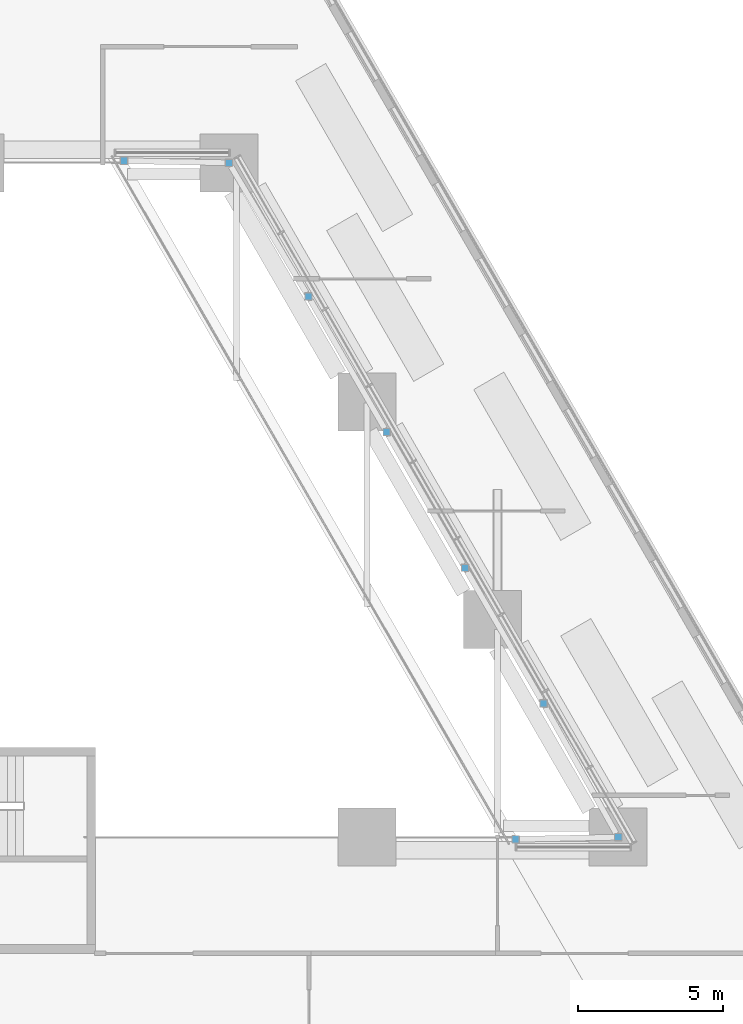
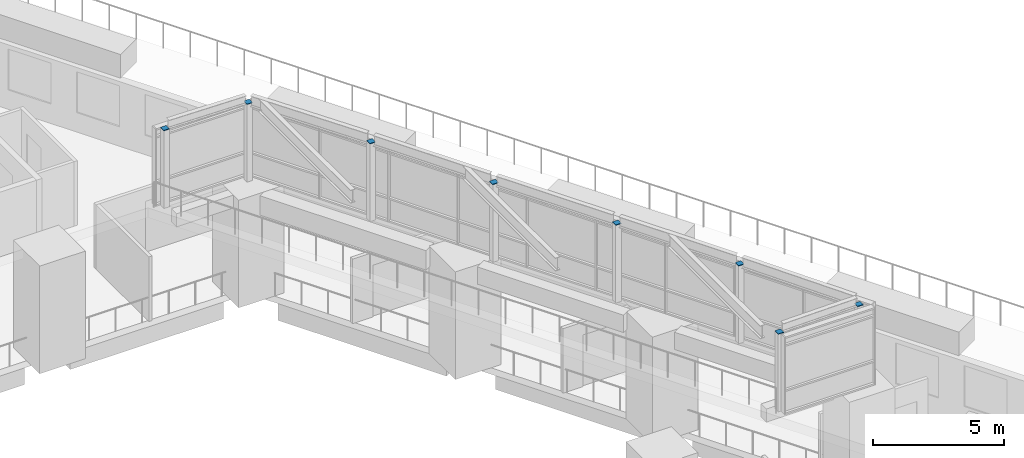
# One storey, part 15 of 19: 8 discrete accessories.
"""IFC4 building model written with IfcOpenShell, lengths in metres."""

from ifc_helpers import new_model, si_unit, direction, frame, origin, origin_2d, place, context, subcontext, project, spatial, rectangle, extrude, material, layer, layer_set, type_object, element, save


model = new_model("IFC4")

# Units and contexts
model_context = context("Model", 3, precision=1e-05, world=origin(), true_north=direction((0.0, 1.0)))
body_context = subcontext(model_context, "Body", "Model", "MODEL_VIEW")
ifc_project = project(units=[si_unit("LENGTHUNIT", "METRE"), si_unit("AREAUNIT", "SQUARE_METRE"), si_unit("VOLUMEUNIT", "CUBIC_METRE"), si_unit("PLANEANGLEUNIT", "RADIAN"), si_unit("MASSUNIT", "GRAM", prefix="KILO")], contexts=[model_context])

# Site, building, storey
site_placement = place(None, origin())
site = spatial("IfcSite", under=ifc_project, at=site_placement, CompositionType="ELEMENT")
building_placement = place(site_placement, origin())
building = spatial("IfcBuilding", under=site, at=building_placement, Name="Fogline Exchange Tower", CompositionType="ELEMENT")
storey_placement = place(building_placement, frame((0.0, 0.0, 20.0)))
storey = spatial("IfcBuildingStorey", under=building, at=storey_placement, Name="L03", CompositionType="ELEMENT", Elevation=20.0)

# Discrete accessories
ifc_material = material(Name="Steel Q355 grade B", Category="steel")
ifc_layer = layer(ifc_material, 0.030029296875)
ifc_layer_set = layer_set([ifc_layer], Name="EC2")
discrete_accessory_type = type_object("IfcDiscreteAccessoryType", Name="EC2", PredefinedType="USERDEFINED", material=ifc_layer_set)
for number, where, z_axis, x_axis, name in (
    (1, (8.739990234375, 56.0, 8.60009765625), (0.0, 0.0, 1.0), (1.0, 0.0, 0.0), "Lantern post cap plate"),
    (2, (5.12451171875, 56.070068359375, 8.60009765625), (0.0, 0.0, 1.0), (1.0, 0.0, 0.0), "Lantern post cap plate"),
    (3, (18.622802734375, 32.68994140625, 8.60009765625), (0.0, 0.0, 1.0), (1.0, 0.0, 0.0), "Lantern post cap plate"),
    (4, (22.157958984375, 32.760009765625, 8.60009765625), (0.0, 0.0, 1.0), (1.0, 0.0, 0.0), "Lantern post cap plate"),
    (5, (19.579345703125, 37.365966796875, 8.60009765625), (0.0, 0.0, 1.0), (1.0, 0.0, 0.0), "Lantern post cap plate"),
    (6, (16.879638671875, 42.0419921875, 8.60009765625), (0.0, 0.0, 1.0), (1.0, 0.0, 0.0), "Lantern post cap plate"),
    (7, (14.179931640625, 46.718017578125, 8.60009765625), (0.0, 0.0, 1.0), (1.0, 0.0, 0.0), "Lantern post cap plate"),
    (8, (11.480224609375, 51.39404296875, 8.60009765625), (0.0, 0.0, 1.0), (1.0, 0.0, 0.0), "Lantern post cap plate"),
):
    element("IfcDiscreteAccessory", number, at=place(storey_placement, frame(where, z_axis=z_axis, x_axis=x_axis)), inside=storey, type_object=discrete_accessory_type, Name=name, ObjectType="CAP PLATE", PredefinedType="USERDEFINED", context=body_context, shape_type="SweptSolid", body=[
        extrude(rectangle(XDim=0.25, YDim=0.25, at=origin_2d()), origin(), (0.0, 0.0, 1.0), 0.030029296875),
    ])

save(model, "model.ifc")
